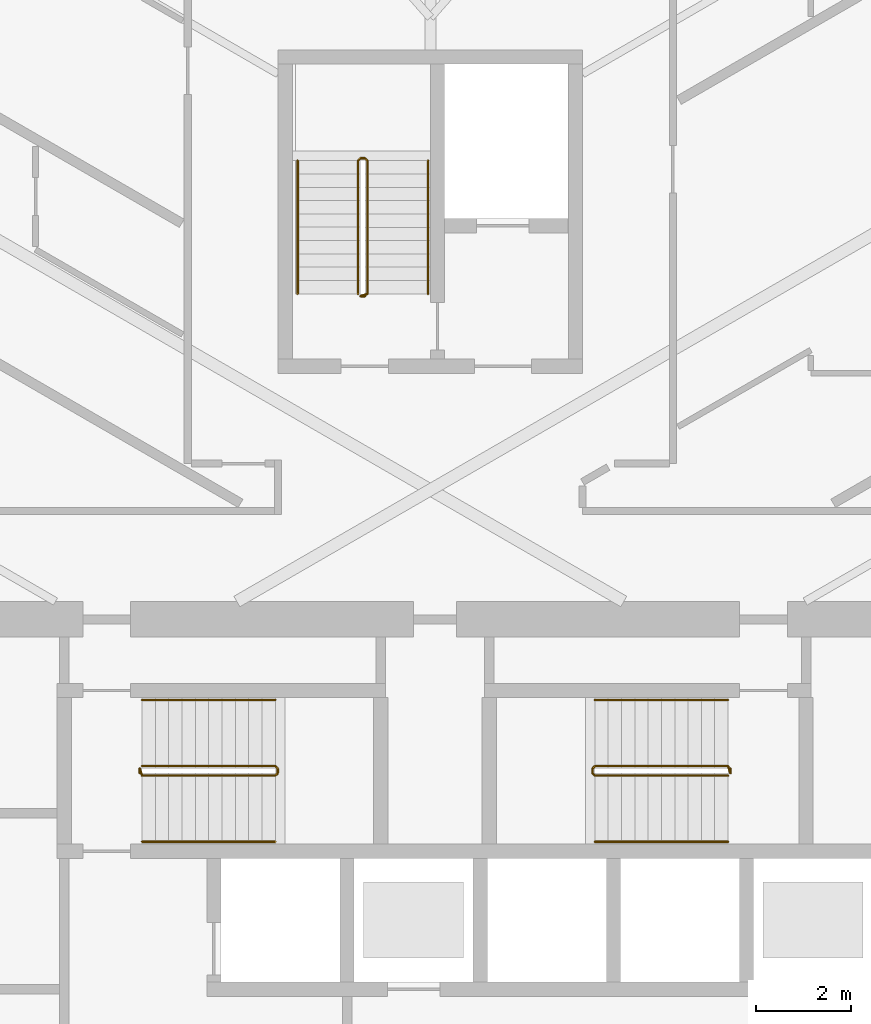
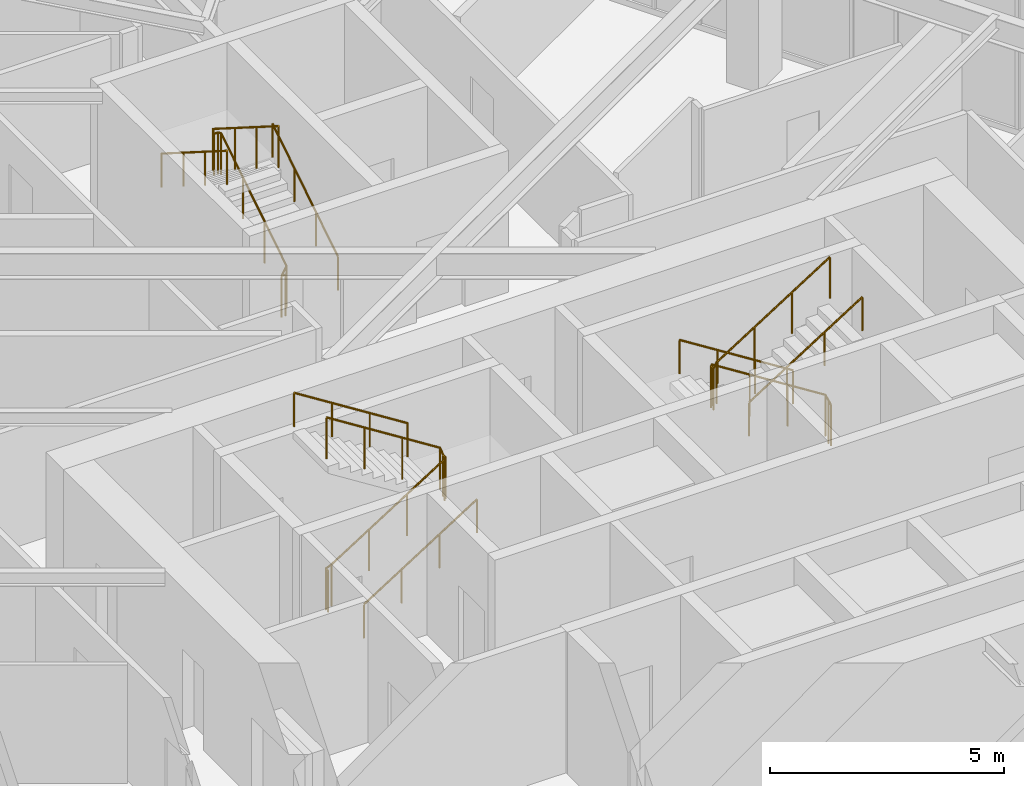
# One storey, part 25 of 26: 9 railings.
"""IFC4 building model written with IfcOpenShell, lengths in metres."""

from ifc_helpers import new_model, si_unit, direction, frame, origin, origin_2d, place, context, subcontext, project, spatial, circle, extrude, material, type_object, element, save


model = new_model("IFC4")

# Units and contexts
model_context = context("Model", 3, precision=1e-05, world=origin(), true_north=direction((0.0, 1.0)))
body_context = subcontext(model_context, "Body", "Model", "MODEL_VIEW")
ifc_project = project(units=[si_unit("LENGTHUNIT", "METRE"), si_unit("AREAUNIT", "SQUARE_METRE"), si_unit("VOLUMEUNIT", "CUBIC_METRE"), si_unit("PLANEANGLEUNIT", "RADIAN"), si_unit("MASSUNIT", "GRAM", prefix="KILO")], contexts=[model_context])

# Site, building, storey
site_placement = place(None, origin())
site = spatial("IfcSite", under=ifc_project, at=site_placement, CompositionType="ELEMENT")
building_placement = place(site_placement, origin())
building = spatial("IfcBuilding", under=site, at=building_placement, Name="Firuza Gate Tower and Library", CompositionType="ELEMENT")
storey_placement = place(building_placement, frame((0.0, 0.0, 175.300048828125)))
storey = spatial("IfcBuildingStorey", under=building, at=storey_placement, Name="L40", CompositionType="ELEMENT", Elevation=175.300048828125)

# Railings
ifc_material_1 = material(Name="Steel S355", Category="steel")
railing_type_1 = type_object("IfcRailingType", Name="Stair guard 1100", PredefinedType="GUARDRAIL", material=ifc_material_1)
railing_1_placement = place(storey_placement, frame((68.889892578125, 79.389892578125, 0.0)))
element("IfcRailing", 1, at=railing_1_placement, inside=storey, type_object=railing_type_1, Name="L40 ST1 stair guard 1", PredefinedType="GUARDRAIL", context=body_context, shape_type="SweptSolid", body=[
    extrude(circle(Radius=0.02392578125, at=origin_2d()), frame((0.0, 0.0, 1.076171875), z_axis=(0.0, 1.0, 0.0), x_axis=(-1.0, 0.0, 0.0)), (0.0, 0.0, 1.0), 0.10009765625),
    extrude(circle(Radius=0.02392578125, at=origin_2d()), frame((0.0, 0.10009765625, 1.076171875), z_axis=(0.210758951027, -0.631248760638, 0.74639511437), x_axis=(0.948528701346, 0.316691178788, 0.0)), (0.0, 0.0, 1.0), 0.237548828125),
    extrude(circle(Radius=0.02392578125, at=origin_2d()), frame((0.050048828125, -0.0498046875, 1.25341796875), z_axis=(0.844908973607, 0.0, 0.534910110503), x_axis=(0.0, 1.0, 0.0)), (0.0, 0.0, 1.0), 3.31396484375),
    extrude(circle(Radius=0.02392578125, at=origin_2d()), frame((2.85009765625, -0.0498046875, 3.02587890625), z_axis=(0.708833529934, 0.705375805398, 0.0), x_axis=(-0.705375805398, 0.708833529934, 0.0)), (0.0, 0.0, 1.0), 0.070556640625),
    extrude(circle(Radius=0.02392578125, at=origin_2d()), frame((2.900146484375, 0.0, 3.02587890625), z_axis=(0.0, 1.0, 0.0), x_axis=(-1.0, 0.0, 0.0)), (0.0, 0.0, 1.0), 0.10009765625),
    extrude(circle(Radius=0.02392578125, at=origin_2d()), frame((2.900146484375, 0.10009765625, 3.02587890625), z_axis=(-0.262233686654, 0.262233686654, 0.928691007369), x_axis=(-0.707106781187, -0.707106781187, 0.0)), (0.0, 0.0, 1.0), 0.19091796875),
    extrude(circle(Radius=0.02392578125, at=origin_2d()), frame((2.85009765625, 0.150146484375, 3.203125), z_axis=(-0.844908973607, 0.0, 0.534910110503), x_axis=(0.0, -1.0, 0.0)), (0.0, 0.0, 1.0), 3.31396484375),
    extrude(circle(Radius=0.02099609375, at=origin_2d()), origin(), (0.0, 0.0, 1.0), 1.052001953125),
    extrude(circle(Radius=0.02099609375, at=origin_2d()), frame((0.0, 0.10009765625, 0.0)), (0.0, 0.0, 1.0), 1.052001953125),
    extrude(circle(Radius=0.02099609375, at=origin_2d()), frame((0.050048828125, -0.0498046875, 0.17724609375)), (0.0, 0.0, 1.0), 1.052001953125),
    extrude(circle(Radius=0.02099609375, at=origin_2d()), frame((0.9833984375, -0.0498046875, 0.76806640625)), (0.0, 0.0, 1.0), 1.052001953125),
    extrude(circle(Radius=0.02099609375, at=origin_2d()), frame((1.916748046875, -0.0498046875, 1.359130859375)), (0.0, 0.0, 1.0), 1.052001953125),
    extrude(circle(Radius=0.02099609375, at=origin_2d()), frame((2.85009765625, -0.0498046875, 1.949951171875)), (0.0, 0.0, 1.0), 1.052001953125),
    extrude(circle(Radius=0.02099609375, at=origin_2d()), frame((2.900146484375, 0.0, 1.949951171875)), (0.0, 0.0, 1.0), 1.052001953125),
    extrude(circle(Radius=0.02099609375, at=origin_2d()), frame((2.900146484375, 0.10009765625, 1.949951171875)), (0.0, 0.0, 1.0), 1.052001953125),
    extrude(circle(Radius=0.02099609375, at=origin_2d()), frame((2.85009765625, 0.150146484375, 2.127197265625)), (0.0, 0.0, 1.0), 1.052001953125),
    extrude(circle(Radius=0.02099609375, at=origin_2d()), frame((1.916748046875, 0.150146484375, 2.718017578125)), (0.0, 0.0, 1.0), 1.052001953125),
    extrude(circle(Radius=0.02099609375, at=origin_2d()), frame((0.9833984375, 0.150146484375, 3.30908203125)), (0.0, 0.0, 1.0), 1.052001953125),
    extrude(circle(Radius=0.02099609375, at=origin_2d()), frame((0.050048828125, 0.150146484375, 3.89990234375)), (0.0, 0.0, 1.0), 1.052001953125),
])
railing_2_placement = place(storey_placement, frame((81.31005859375, 79.489990234375, 0.0)))
element("IfcRailing", 2, at=railing_2_placement, inside=storey, type_object=railing_type_1, Name="L40 ST2 stair guard 1", PredefinedType="GUARDRAIL", context=body_context, shape_type="SweptSolid", body=[
    extrude(circle(Radius=0.02392578125, at=origin_2d()), frame((0.0, 0.0, 1.076171875), z_axis=(0.0, -1.0, 0.0), x_axis=(1.0, 0.0, 0.0)), (0.0, 0.0, 1.0), 0.10009765625),
    extrude(circle(Radius=0.02392578125, at=origin_2d()), frame((0.0, -0.10009765625, 1.076171875), z_axis=(-0.210622194084, 0.631866582253, 0.74591079466), x_axis=(-0.948683298051, -0.316227766017, 0.0)), (0.0, 0.0, 1.0), 0.237548828125),
    extrude(circle(Radius=0.02392578125, at=origin_2d()), frame((-0.050048828125, 0.050048828125, 1.25341796875), z_axis=(-0.844908973607, 0.0, 0.534910110503), x_axis=(0.0, -1.0, 0.0)), (0.0, 0.0, 1.0), 3.31396484375),
    extrude(circle(Radius=0.02392578125, at=origin_2d()), frame((-2.85009765625, 0.050048828125, 3.02587890625), z_axis=(-0.707106781187, -0.707106781187, 0.0), x_axis=(0.707106781187, -0.707106781187, 0.0)), (0.0, 0.0, 1.0), 0.07080078125),
    extrude(circle(Radius=0.02392578125, at=origin_2d()), frame((-2.900146484375, 0.0, 3.02587890625), z_axis=(0.0, -1.0, 0.0), x_axis=(1.0, 0.0, 0.0)), (0.0, 0.0, 1.0), 0.10009765625),
    extrude(circle(Radius=0.02392578125, at=origin_2d()), frame((-2.900146484375, -0.10009765625, 3.02587890625), z_axis=(0.262321481514, -0.261041864531, 0.929001929653), x_axis=(0.705375805398, 0.708833529934, 0.0)), (0.0, 0.0, 1.0), 0.190673828125),
    extrude(circle(Radius=0.02392578125, at=origin_2d()), frame((-2.85009765625, -0.14990234375, 3.203125), z_axis=(0.844908973607, 0.0, 0.534910110503), x_axis=(0.0, 1.0, 0.0)), (0.0, 0.0, 1.0), 3.31396484375),
    extrude(circle(Radius=0.02099609375, at=origin_2d()), origin(), (0.0, 0.0, 1.0), 1.052001953125),
    extrude(circle(Radius=0.02099609375, at=origin_2d()), frame((0.0, -0.10009765625, 0.0)), (0.0, 0.0, 1.0), 1.052001953125),
    extrude(circle(Radius=0.02099609375, at=origin_2d()), frame((-0.050048828125, 0.050048828125, 0.17724609375)), (0.0, 0.0, 1.0), 1.052001953125),
    extrude(circle(Radius=0.02099609375, at=origin_2d()), frame((-0.9833984375, 0.050048828125, 0.76806640625)), (0.0, 0.0, 1.0), 1.052001953125),
    extrude(circle(Radius=0.02099609375, at=origin_2d()), frame((-1.916748046875, 0.050048828125, 1.359130859375)), (0.0, 0.0, 1.0), 1.052001953125),
    extrude(circle(Radius=0.02099609375, at=origin_2d()), frame((-2.85009765625, 0.050048828125, 1.949951171875)), (0.0, 0.0, 1.0), 1.052001953125),
    extrude(circle(Radius=0.02099609375, at=origin_2d()), frame((-2.900146484375, 0.0, 1.949951171875)), (0.0, 0.0, 1.0), 1.052001953125),
    extrude(circle(Radius=0.02099609375, at=origin_2d()), frame((-2.900146484375, -0.10009765625, 1.949951171875)), (0.0, 0.0, 1.0), 1.052001953125),
    extrude(circle(Radius=0.02099609375, at=origin_2d()), frame((-2.85009765625, -0.14990234375, 2.127197265625)), (0.0, 0.0, 1.0), 1.052001953125),
    extrude(circle(Radius=0.02099609375, at=origin_2d()), frame((-1.916748046875, -0.14990234375, 2.718017578125)), (0.0, 0.0, 1.0), 1.052001953125),
    extrude(circle(Radius=0.02099609375, at=origin_2d()), frame((-0.9833984375, -0.14990234375, 3.30908203125)), (0.0, 0.0, 1.0), 1.052001953125),
    extrude(circle(Radius=0.02099609375, at=origin_2d()), frame((-0.050048828125, -0.14990234375, 3.89990234375)), (0.0, 0.0, 1.0), 1.052001953125),
])
railing_3_placement = place(storey_placement, frame((73.6298828125, 89.419921875, 0.0)))
element("IfcRailing", 3, at=railing_3_placement, inside=storey, type_object=railing_type_1, Name="L40 ST3 stair guard 1", PredefinedType="GUARDRAIL", context=body_context, shape_type="SweptSolid", body=[
    extrude(circle(Radius=0.02392578125, at=origin_2d()), frame((0.0, 0.0, 1.076171875), z_axis=(-1.0, 0.0, 0.0), x_axis=(0.0, -1.0, 0.0)), (0.0, 0.0, 1.0), 0.099853515625),
    extrude(circle(Radius=0.02392578125, at=origin_2d()), frame((-0.099853515625, 0.0, 1.076171875), z_axis=(0.631248760638, 0.210758951027, 0.74639511437), x_axis=(-0.316691178788, 0.948528701346, 0.0)), (0.0, 0.0, 1.0), 0.237548828125),
    extrude(circle(Radius=0.02392578125, at=origin_2d()), frame((0.050048828125, 0.050048828125, 1.25341796875), z_axis=(0.0, 0.844908973607, 0.534910110503), x_axis=(-1.0, 0.0, 0.0)), (0.0, 0.0, 1.0), 3.31396484375),
    extrude(circle(Radius=0.02392578125, at=origin_2d()), frame((0.050048828125, 2.85009765625, 3.02587890625), z_axis=(-0.707106781187, 0.707106781187, 0.0), x_axis=(-0.707106781187, -0.707106781187, 0.0)), (0.0, 0.0, 1.0), 0.07080078125),
    extrude(circle(Radius=0.02392578125, at=origin_2d()), frame((0.0, 2.900146484375, 3.02587890625), z_axis=(-1.0, 0.0, 0.0), x_axis=(0.0, -1.0, 0.0)), (0.0, 0.0, 1.0), 0.099853515625),
    extrude(circle(Radius=0.02392578125, at=origin_2d()), frame((-0.099853515625, 2.900146484375, 3.02587890625), z_axis=(-0.262233686654, -0.262233686654, 0.928691007369), x_axis=(0.707106781187, -0.707106781187, 0.0)), (0.0, 0.0, 1.0), 0.19091796875),
    extrude(circle(Radius=0.02392578125, at=origin_2d()), frame((-0.14990234375, 2.85009765625, 3.203125), z_axis=(0.0, -0.844908973607, 0.534910110503), x_axis=(1.0, 0.0, 0.0)), (0.0, 0.0, 1.0), 3.31396484375),
    extrude(circle(Radius=0.02099609375, at=origin_2d()), origin(), (0.0, 0.0, 1.0), 1.052001953125),
    extrude(circle(Radius=0.02099609375, at=origin_2d()), frame((-0.099853515625, 0.0, 0.0)), (0.0, 0.0, 1.0), 1.052001953125),
    extrude(circle(Radius=0.02099609375, at=origin_2d()), frame((0.050048828125, 0.050048828125, 0.17724609375)), (0.0, 0.0, 1.0), 1.052001953125),
    extrude(circle(Radius=0.02099609375, at=origin_2d()), frame((0.050048828125, 0.9833984375, 0.76806640625)), (0.0, 0.0, 1.0), 1.052001953125),
    extrude(circle(Radius=0.02099609375, at=origin_2d()), frame((0.050048828125, 1.916748046875, 1.359130859375)), (0.0, 0.0, 1.0), 1.052001953125),
    extrude(circle(Radius=0.02099609375, at=origin_2d()), frame((0.050048828125, 2.85009765625, 1.949951171875)), (0.0, 0.0, 1.0), 1.052001953125),
    extrude(circle(Radius=0.02099609375, at=origin_2d()), frame((0.0, 2.900146484375, 1.949951171875)), (0.0, 0.0, 1.0), 1.052001953125),
    extrude(circle(Radius=0.02099609375, at=origin_2d()), frame((-0.099853515625, 2.900146484375, 1.949951171875)), (0.0, 0.0, 1.0), 1.052001953125),
    extrude(circle(Radius=0.02099609375, at=origin_2d()), frame((-0.14990234375, 2.85009765625, 2.127197265625)), (0.0, 0.0, 1.0), 1.052001953125),
    extrude(circle(Radius=0.02099609375, at=origin_2d()), frame((-0.14990234375, 1.916748046875, 2.718017578125)), (0.0, 0.0, 1.0), 1.052001953125),
    extrude(circle(Radius=0.02099609375, at=origin_2d()), frame((-0.14990234375, 0.9833984375, 3.30908203125)), (0.0, 0.0, 1.0), 1.052001953125),
    extrude(circle(Radius=0.02099609375, at=origin_2d()), frame((-0.14990234375, 0.050048828125, 3.89990234375)), (0.0, 0.0, 1.0), 1.052001953125),
])
ifc_material_2 = material(Name="Steel S355", Category="steel")
railing_type_2 = type_object("IfcRailingType", Name="Stair handrail 900", PredefinedType="HANDRAIL", material=ifc_material_2)
railing_4_placement = place(storey_placement, frame((68.93994140625, 77.949951171875, 0.17724609375)))
element("IfcRailing", 4, at=railing_4_placement, inside=storey, type_object=railing_type_2, Name="L40 ST1 stair handrail 1", PredefinedType="HANDRAIL", context=body_context, shape_type="SweptSolid", body=[
    extrude(circle(Radius=0.02392578125, at=origin_2d()), frame((0.0, 0.0, 0.8759765625), z_axis=(0.844908973607, 0.0, 0.534910110503), x_axis=(0.0, 1.0, 0.0)), (0.0, 0.0, 1.0), 3.31396484375),
    extrude(circle(Radius=0.02099609375, at=origin_2d()), origin(), (0.0, 0.0, 1.0), 0.851806640625),
    extrude(circle(Radius=0.02099609375, at=origin_2d()), frame((0.933349609375, 0.0, 0.5908203125)), (0.0, 0.0, 1.0), 0.851806640625),
    extrude(circle(Radius=0.02099609375, at=origin_2d()), frame((1.86669921875, 0.0, 1.181884765625)), (0.0, 0.0, 1.0), 0.851806640625),
    extrude(circle(Radius=0.02099609375, at=origin_2d()), frame((2.800048828125, 0.0, 1.772705078125)), (0.0, 0.0, 1.0), 0.851806640625),
])
for number, where, name in (
    (5, (71.739990234375, 80.929931640625, 2.127197265625), "L40 ST1 stair handrail 2"),
    (6, (81.260009765625, 80.929931640625, 0.17724609375), "L40 ST2 stair handrail 1"),
):
    element("IfcRailing", number, at=place(storey_placement, frame(where)), inside=storey, type_object=railing_type_2, Name=name, PredefinedType="HANDRAIL", context=body_context, shape_type="SweptSolid", body=[
        extrude(circle(Radius=0.02392578125, at=origin_2d()), frame((0.0, 0.0, 0.8759765625), z_axis=(-0.844908973607, 0.0, 0.534910110503), x_axis=(0.0, -1.0, 0.0)), (0.0, 0.0, 1.0), 3.31396484375),
        extrude(circle(Radius=0.02099609375, at=origin_2d()), origin(), (0.0, 0.0, 1.0), 0.851806640625),
        extrude(circle(Radius=0.02099609375, at=origin_2d()), frame((-0.933349609375, 0.0, 0.5908203125)), (0.0, 0.0, 1.0), 0.851806640625),
        extrude(circle(Radius=0.02099609375, at=origin_2d()), frame((-1.86669921875, 0.0, 1.181884765625)), (0.0, 0.0, 1.0), 0.851806640625),
        extrude(circle(Radius=0.02099609375, at=origin_2d()), frame((-2.800048828125, 0.0, 1.772705078125)), (0.0, 0.0, 1.0), 0.851806640625),
    ])
railing_5_placement = place(storey_placement, frame((78.4599609375, 77.949951171875, 2.127197265625)))
element("IfcRailing", 7, at=railing_5_placement, inside=storey, type_object=railing_type_2, Name="L40 ST2 stair handrail 2", PredefinedType="HANDRAIL", context=body_context, shape_type="SweptSolid", body=[
    extrude(circle(Radius=0.02392578125, at=origin_2d()), frame((0.0, 0.0, 0.8759765625), z_axis=(0.844908973607, 0.0, 0.534910110503), x_axis=(0.0, 1.0, 0.0)), (0.0, 0.0, 1.0), 3.31396484375),
    extrude(circle(Radius=0.02099609375, at=origin_2d()), origin(), (0.0, 0.0, 1.0), 0.851806640625),
    extrude(circle(Radius=0.02099609375, at=origin_2d()), frame((0.933349609375, 0.0, 0.5908203125)), (0.0, 0.0, 1.0), 0.851806640625),
    extrude(circle(Radius=0.02099609375, at=origin_2d()), frame((1.86669921875, 0.0, 1.181884765625)), (0.0, 0.0, 1.0), 0.851806640625),
    extrude(circle(Radius=0.02099609375, at=origin_2d()), frame((2.800048828125, 0.0, 1.772705078125)), (0.0, 0.0, 1.0), 0.851806640625),
])
railing_6_placement = place(storey_placement, frame((74.949951171875, 89.469970703125, 0.17724609375)))
element("IfcRailing", 8, at=railing_6_placement, inside=storey, type_object=railing_type_2, Name="L40 ST3 stair handrail 1", PredefinedType="HANDRAIL", context=body_context, shape_type="SweptSolid", body=[
    extrude(circle(Radius=0.02392578125, at=origin_2d()), frame((0.0, 0.0, 0.8759765625), z_axis=(0.0, 0.844908973607, 0.534910110503), x_axis=(-1.0, 0.0, 0.0)), (0.0, 0.0, 1.0), 3.31396484375),
    extrude(circle(Radius=0.02099609375, at=origin_2d()), origin(), (0.0, 0.0, 1.0), 0.851806640625),
    extrude(circle(Radius=0.02099609375, at=origin_2d()), frame((0.0, 0.933349609375, 0.5908203125)), (0.0, 0.0, 1.0), 0.851806640625),
    extrude(circle(Radius=0.02099609375, at=origin_2d()), frame((0.0, 1.86669921875, 1.181884765625)), (0.0, 0.0, 1.0), 0.851806640625),
    extrude(circle(Radius=0.02099609375, at=origin_2d()), frame((0.0, 2.800048828125, 1.772705078125)), (0.0, 0.0, 1.0), 0.851806640625),
])
railing_7_placement = place(storey_placement, frame((72.2099609375, 92.27001953125, 2.127197265625)))
element("IfcRailing", 9, at=railing_7_placement, inside=storey, type_object=railing_type_2, Name="L40 ST3 stair handrail 2", PredefinedType="HANDRAIL", context=body_context, shape_type="SweptSolid", body=[
    extrude(circle(Radius=0.02392578125, at=origin_2d()), frame((0.0, 0.0, 0.8759765625), z_axis=(0.0, -0.844908973607, 0.534910110503), x_axis=(1.0, 0.0, 0.0)), (0.0, 0.0, 1.0), 3.31396484375),
    extrude(circle(Radius=0.02099609375, at=origin_2d()), origin(), (0.0, 0.0, 1.0), 0.851806640625),
    extrude(circle(Radius=0.02099609375, at=origin_2d()), frame((0.0, -0.933349609375, 0.5908203125)), (0.0, 0.0, 1.0), 0.851806640625),
    extrude(circle(Radius=0.02099609375, at=origin_2d()), frame((0.0, -1.86669921875, 1.181884765625)), (0.0, 0.0, 1.0), 0.851806640625),
    extrude(circle(Radius=0.02099609375, at=origin_2d()), frame((0.0, -2.800048828125, 1.772705078125)), (0.0, 0.0, 1.0), 0.851806640625),
])

save(model, "model.ifc")
